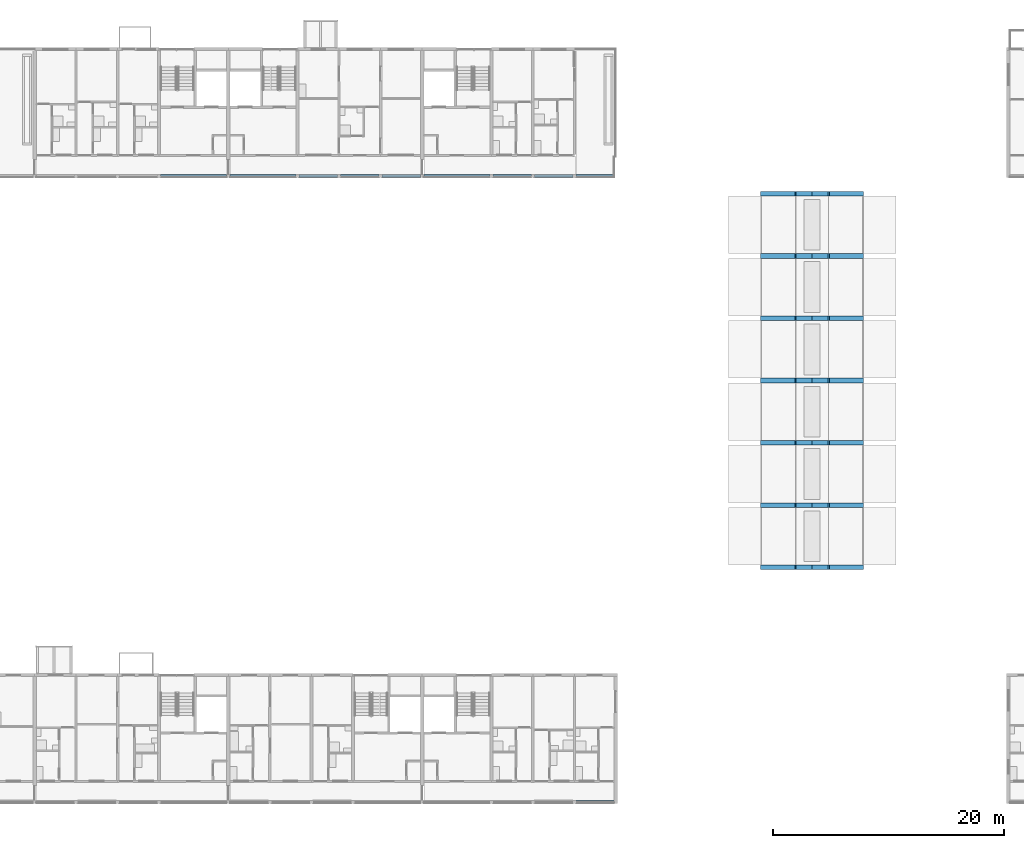
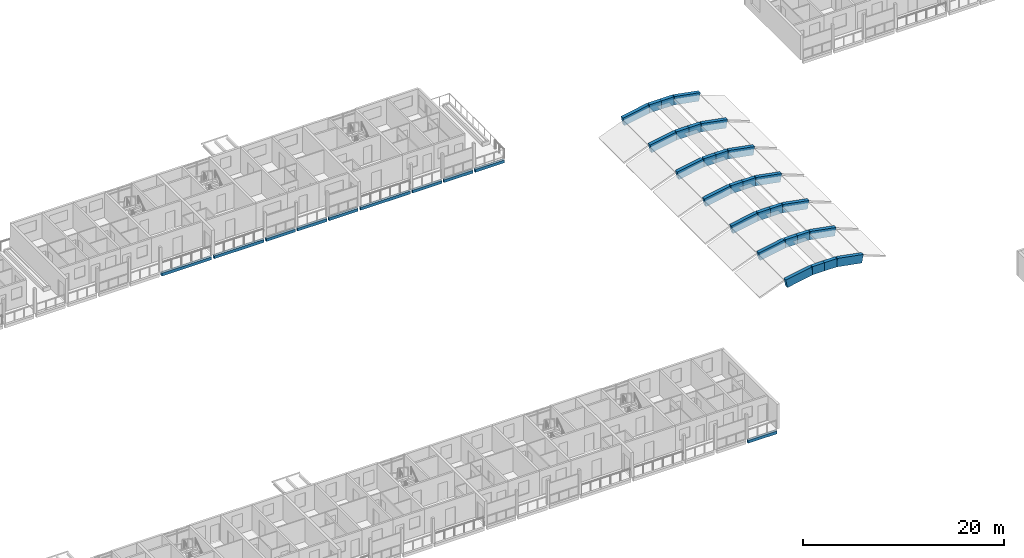
# One storey, part 10 of 93: 38 beams.
"""IFC4 building model written with IfcOpenShell, lengths in metres."""

from ifc_helpers import new_model, si_unit, direction, frame, origin, origin_2d, place, context, subcontext, project, spatial, rectangle, extrude, material, material_profile, profile_set, type_object, element, save


model = new_model("IFC4")

# Units and contexts
model_context = context("Model", 3, precision=1e-05, world=origin(), true_north=direction((0.0, 1.0)))
body_context = subcontext(model_context, "Body", "Model", "MODEL_VIEW")
ifc_project = project(units=[si_unit("LENGTHUNIT", "METRE"), si_unit("AREAUNIT", "SQUARE_METRE"), si_unit("VOLUMEUNIT", "CUBIC_METRE"), si_unit("PLANEANGLEUNIT", "RADIAN"), si_unit("MASSUNIT", "GRAM", prefix="KILO")], contexts=[model_context])

# Site, building, storey
site_placement = place(None, origin())
site = spatial("IfcSite", under=ifc_project, at=site_placement, CompositionType="ELEMENT")
building_placement = place(site_placement, origin())
building = spatial("IfcBuilding", under=site, at=building_placement, Name="Ridgestep Commons", CompositionType="ELEMENT")
storey_placement = place(building_placement, frame((0.0, 0.0, 18.0)))
storey = spatial("IfcBuildingStorey", under=building, at=storey_placement, Name="L06", CompositionType="ELEMENT", Elevation=18.0)

# Beams
ifc_material_1 = material(Name="Precast concrete C50/60", Category="concrete")
ifc_material_profile_1 = material_profile(ifc_material_1, rectangle(XDim=0.39990234375, YDim=1.0, at=origin_2d()), Name="Hall vault rib 400 x 1000")
ifc_profile_set_1 = profile_set([ifc_material_profile_1], Name="Precast concrete C50/60")
beam_type_1 = type_object("IfcBeamType", Name="Hall vault rib 400 x 1000", PredefinedType="BEAM", material=ifc_profile_set_1)
beam_1_placement = place(storey_placement, frame((125.43798828125, 32.199951171875, 0.892578125), z_axis=(0.98343646176, 0.0, 0.181253208745), x_axis=(0.0, 1.0, 0.0)))
element("IfcBeam", 1, at=beam_1_placement, inside=storey, type_object=beam_type_1, Name="Hall vault rib R1", PredefinedType="BEAM", context=body_context, shape_type="SweptSolid", body=[
    extrude(rectangle(XDim=0.39990234375, YDim=1.0, at=origin_2d()), origin(), (0.0, 0.0, 1.0), 3.01171875),
])
beam_2_placement = place(storey_placement, frame((128.39990234375, 32.199951171875, 1.4384765625), z_axis=(1.0, 0.0, 0.0), x_axis=(0.0, 1.0, 0.0)))
element("IfcBeam", 2, at=beam_2_placement, inside=storey, type_object=beam_type_1, Name="Hall vault rib R1", PredefinedType="BEAM", context=body_context, shape_type="SweptSolid", body=[
    extrude(rectangle(XDim=0.39990234375, YDim=1.0, at=origin_2d()), origin(), (0.0, 0.0, 1.0), 1.400146484375),
])
beam_3_placement = place(storey_placement, frame((129.800048828125, 32.199951171875, 1.4384765625), z_axis=(1.0, 0.0, 0.0), x_axis=(0.0, 1.0, 0.0)))
element("IfcBeam", 3, at=beam_3_placement, inside=storey, type_object=beam_type_1, Name="Hall vault rib R1", PredefinedType="BEAM", context=body_context, shape_type="SweptSolid", body=[
    extrude(rectangle(XDim=0.39990234375, YDim=1.0, at=origin_2d()), origin(), (0.0, 0.0, 1.0), 1.39990234375),
])
for number, where, z_axis, x_axis, name in (
    (4, (131.199951171875, 32.199951171875, 1.4384765625), (0.98343646176, 0.0, -0.181253208745), (0.0, 1.0, 0.0), "Hall vault rib R1"),
    (5, (125.43798828125, 37.60009765625, 0.892578125), (0.98343646176, 0.0, 0.181253208745), (0.0, 1.0, 0.0), "Hall vault rib R2"),
):
    element("IfcBeam", number, at=place(storey_placement, frame(where, z_axis=z_axis, x_axis=x_axis)), inside=storey, type_object=beam_type_1, Name=name, PredefinedType="BEAM", context=body_context, shape_type="SweptSolid", body=[
        extrude(rectangle(XDim=0.39990234375, YDim=1.0, at=origin_2d()), origin(), (0.0, 0.0, 1.0), 3.01171875),
    ])
beam_4_placement = place(storey_placement, frame((128.39990234375, 37.60009765625, 1.4384765625), z_axis=(1.0, 0.0, 0.0), x_axis=(0.0, 1.0, 0.0)))
element("IfcBeam", 6, at=beam_4_placement, inside=storey, type_object=beam_type_1, Name="Hall vault rib R2", PredefinedType="BEAM", context=body_context, shape_type="SweptSolid", body=[
    extrude(rectangle(XDim=0.39990234375, YDim=1.0, at=origin_2d()), origin(), (0.0, 0.0, 1.0), 1.400146484375),
])
beam_5_placement = place(storey_placement, frame((129.800048828125, 37.60009765625, 1.4384765625), z_axis=(1.0, 0.0, 0.0), x_axis=(0.0, 1.0, 0.0)))
element("IfcBeam", 7, at=beam_5_placement, inside=storey, type_object=beam_type_1, Name="Hall vault rib R2", PredefinedType="BEAM", context=body_context, shape_type="SweptSolid", body=[
    extrude(rectangle(XDim=0.39990234375, YDim=1.0, at=origin_2d()), origin(), (0.0, 0.0, 1.0), 1.39990234375),
])
for number, where, z_axis, x_axis, name in (
    (8, (131.199951171875, 37.60009765625, 1.4384765625), (0.98343646176, 0.0, -0.181253208745), (0.0, 1.0, 0.0), "Hall vault rib R2"),
    (9, (125.43798828125, 43.0, 0.892578125), (0.98343646176, 0.0, 0.181253208745), (0.0, 1.0, 0.0), "Hall vault rib R3"),
):
    element("IfcBeam", number, at=place(storey_placement, frame(where, z_axis=z_axis, x_axis=x_axis)), inside=storey, type_object=beam_type_1, Name=name, PredefinedType="BEAM", context=body_context, shape_type="SweptSolid", body=[
        extrude(rectangle(XDim=0.39990234375, YDim=1.0, at=origin_2d()), origin(), (0.0, 0.0, 1.0), 3.01171875),
    ])
beam_6_placement = place(storey_placement, frame((128.39990234375, 43.0, 1.4384765625), z_axis=(1.0, 0.0, 0.0), x_axis=(0.0, 1.0, 0.0)))
element("IfcBeam", 10, at=beam_6_placement, inside=storey, type_object=beam_type_1, Name="Hall vault rib R3", PredefinedType="BEAM", context=body_context, shape_type="SweptSolid", body=[
    extrude(rectangle(XDim=0.39990234375, YDim=1.0, at=origin_2d()), origin(), (0.0, 0.0, 1.0), 1.400146484375),
])
beam_7_placement = place(storey_placement, frame((129.800048828125, 43.0, 1.4384765625), z_axis=(1.0, 0.0, 0.0), x_axis=(0.0, 1.0, 0.0)))
element("IfcBeam", 11, at=beam_7_placement, inside=storey, type_object=beam_type_1, Name="Hall vault rib R3", PredefinedType="BEAM", context=body_context, shape_type="SweptSolid", body=[
    extrude(rectangle(XDim=0.39990234375, YDim=1.0, at=origin_2d()), origin(), (0.0, 0.0, 1.0), 1.39990234375),
])
for number, where, z_axis, x_axis, name in (
    (12, (131.199951171875, 43.0, 1.4384765625), (0.98343646176, 0.0, -0.181253208745), (0.0, 1.0, 0.0), "Hall vault rib R3"),
    (13, (125.43798828125, 48.39990234375, 0.892578125), (0.98343646176, 0.0, 0.181253208745), (0.0, 1.0, 0.0), "Hall vault rib R4"),
):
    element("IfcBeam", number, at=place(storey_placement, frame(where, z_axis=z_axis, x_axis=x_axis)), inside=storey, type_object=beam_type_1, Name=name, PredefinedType="BEAM", context=body_context, shape_type="SweptSolid", body=[
        extrude(rectangle(XDim=0.39990234375, YDim=1.0, at=origin_2d()), origin(), (0.0, 0.0, 1.0), 3.01171875),
    ])
beam_8_placement = place(storey_placement, frame((128.39990234375, 48.39990234375, 1.4384765625), z_axis=(1.0, 0.0, 0.0), x_axis=(0.0, 1.0, 0.0)))
element("IfcBeam", 14, at=beam_8_placement, inside=storey, type_object=beam_type_1, Name="Hall vault rib R4", PredefinedType="BEAM", context=body_context, shape_type="SweptSolid", body=[
    extrude(rectangle(XDim=0.39990234375, YDim=1.0, at=origin_2d()), origin(), (0.0, 0.0, 1.0), 1.400146484375),
])
beam_9_placement = place(storey_placement, frame((129.800048828125, 48.39990234375, 1.4384765625), z_axis=(1.0, 0.0, 0.0), x_axis=(0.0, 1.0, 0.0)))
element("IfcBeam", 15, at=beam_9_placement, inside=storey, type_object=beam_type_1, Name="Hall vault rib R4", PredefinedType="BEAM", context=body_context, shape_type="SweptSolid", body=[
    extrude(rectangle(XDim=0.39990234375, YDim=1.0, at=origin_2d()), origin(), (0.0, 0.0, 1.0), 1.39990234375),
])
for number, where, z_axis, x_axis, name in (
    (16, (131.199951171875, 48.39990234375, 1.4384765625), (0.98343646176, 0.0, -0.181253208745), (0.0, 1.0, 0.0), "Hall vault rib R4"),
    (17, (125.43798828125, 53.800048828125, 0.892578125), (0.98343646176, 0.0, 0.181253208745), (0.0, 1.0, 0.0), "Hall vault rib R5"),
):
    element("IfcBeam", number, at=place(storey_placement, frame(where, z_axis=z_axis, x_axis=x_axis)), inside=storey, type_object=beam_type_1, Name=name, PredefinedType="BEAM", context=body_context, shape_type="SweptSolid", body=[
        extrude(rectangle(XDim=0.39990234375, YDim=1.0, at=origin_2d()), origin(), (0.0, 0.0, 1.0), 3.01171875),
    ])
beam_10_placement = place(storey_placement, frame((128.39990234375, 53.800048828125, 1.4384765625), z_axis=(1.0, 0.0, 0.0), x_axis=(0.0, 1.0, 0.0)))
element("IfcBeam", 18, at=beam_10_placement, inside=storey, type_object=beam_type_1, Name="Hall vault rib R5", PredefinedType="BEAM", context=body_context, shape_type="SweptSolid", body=[
    extrude(rectangle(XDim=0.39990234375, YDim=1.0, at=origin_2d()), origin(), (0.0, 0.0, 1.0), 1.400146484375),
])
beam_11_placement = place(storey_placement, frame((129.800048828125, 53.800048828125, 1.4384765625), z_axis=(1.0, 0.0, 0.0), x_axis=(0.0, 1.0, 0.0)))
element("IfcBeam", 19, at=beam_11_placement, inside=storey, type_object=beam_type_1, Name="Hall vault rib R5", PredefinedType="BEAM", context=body_context, shape_type="SweptSolid", body=[
    extrude(rectangle(XDim=0.39990234375, YDim=1.0, at=origin_2d()), origin(), (0.0, 0.0, 1.0), 1.39990234375),
])
for number, where, z_axis, x_axis, name in (
    (20, (131.199951171875, 53.800048828125, 1.4384765625), (0.98343646176, 0.0, -0.181253208745), (0.0, 1.0, 0.0), "Hall vault rib R5"),
    (21, (125.43798828125, 59.199951171875, 0.892578125), (0.98343646176, 0.0, 0.181253208745), (0.0, 1.0, 0.0), "Hall vault rib R6"),
):
    element("IfcBeam", number, at=place(storey_placement, frame(where, z_axis=z_axis, x_axis=x_axis)), inside=storey, type_object=beam_type_1, Name=name, PredefinedType="BEAM", context=body_context, shape_type="SweptSolid", body=[
        extrude(rectangle(XDim=0.39990234375, YDim=1.0, at=origin_2d()), origin(), (0.0, 0.0, 1.0), 3.01171875),
    ])
beam_12_placement = place(storey_placement, frame((128.39990234375, 59.199951171875, 1.4384765625), z_axis=(1.0, 0.0, 0.0), x_axis=(0.0, 1.0, 0.0)))
element("IfcBeam", 22, at=beam_12_placement, inside=storey, type_object=beam_type_1, Name="Hall vault rib R6", PredefinedType="BEAM", context=body_context, shape_type="SweptSolid", body=[
    extrude(rectangle(XDim=0.39990234375, YDim=1.0, at=origin_2d()), origin(), (0.0, 0.0, 1.0), 1.400146484375),
])
beam_13_placement = place(storey_placement, frame((129.800048828125, 59.199951171875, 1.4384765625), z_axis=(1.0, 0.0, 0.0), x_axis=(0.0, 1.0, 0.0)))
element("IfcBeam", 23, at=beam_13_placement, inside=storey, type_object=beam_type_1, Name="Hall vault rib R6", PredefinedType="BEAM", context=body_context, shape_type="SweptSolid", body=[
    extrude(rectangle(XDim=0.39990234375, YDim=1.0, at=origin_2d()), origin(), (0.0, 0.0, 1.0), 1.39990234375),
])
for number, where, z_axis, x_axis, name in (
    (24, (131.199951171875, 59.199951171875, 1.4384765625), (0.98343646176, 0.0, -0.181253208745), (0.0, 1.0, 0.0), "Hall vault rib R6"),
    (25, (125.43798828125, 64.60009765625, 0.892578125), (0.98343646176, 0.0, 0.181253208745), (0.0, 1.0, 0.0), "Hall vault rib R7"),
):
    element("IfcBeam", number, at=place(storey_placement, frame(where, z_axis=z_axis, x_axis=x_axis)), inside=storey, type_object=beam_type_1, Name=name, PredefinedType="BEAM", context=body_context, shape_type="SweptSolid", body=[
        extrude(rectangle(XDim=0.39990234375, YDim=1.0, at=origin_2d()), origin(), (0.0, 0.0, 1.0), 3.01171875),
    ])
beam_14_placement = place(storey_placement, frame((128.39990234375, 64.60009765625, 1.4384765625), z_axis=(1.0, 0.0, 0.0), x_axis=(0.0, 1.0, 0.0)))
element("IfcBeam", 26, at=beam_14_placement, inside=storey, type_object=beam_type_1, Name="Hall vault rib R7", PredefinedType="BEAM", context=body_context, shape_type="SweptSolid", body=[
    extrude(rectangle(XDim=0.39990234375, YDim=1.0, at=origin_2d()), origin(), (0.0, 0.0, 1.0), 1.400146484375),
])
beam_15_placement = place(storey_placement, frame((129.800048828125, 64.60009765625, 1.4384765625), z_axis=(1.0, 0.0, 0.0), x_axis=(0.0, 1.0, 0.0)))
element("IfcBeam", 27, at=beam_15_placement, inside=storey, type_object=beam_type_1, Name="Hall vault rib R7", PredefinedType="BEAM", context=body_context, shape_type="SweptSolid", body=[
    extrude(rectangle(XDim=0.39990234375, YDim=1.0, at=origin_2d()), origin(), (0.0, 0.0, 1.0), 1.39990234375),
])
beam_16_placement = place(storey_placement, frame((131.199951171875, 64.60009765625, 1.4384765625), z_axis=(0.98343646176, 0.0, -0.181253208745), x_axis=(0.0, 1.0, 0.0)))
element("IfcBeam", 28, at=beam_16_placement, inside=storey, type_object=beam_type_1, Name="Hall vault rib R7", PredefinedType="BEAM", context=body_context, shape_type="SweptSolid", body=[
    extrude(rectangle(XDim=0.39990234375, YDim=1.0, at=origin_2d()), origin(), (0.0, 0.0, 1.0), 3.01171875),
])
ifc_material_2 = material(Name="Precast concrete C40/50", Category="concrete")
ifc_material_profile_2 = material_profile(ifc_material_2, rectangle(XDim=0.25, YDim=0.35009765625, at=origin_2d()), Name="PC 250x350")
ifc_profile_set_2 = profile_set([ifc_material_profile_2], Name="Precast concrete C40/50")
beam_type_2 = type_object("IfcBeamType", Name="Loggia edge beam 250 x 350", PredefinedType="SPANDREL", material=ifc_profile_set_2)
beam_17_placement = place(storey_placement, frame((109.324951171875, 11.875, -0.375), z_axis=(1.0, 0.0, 0.0), x_axis=(0.0, 1.0, 0.0)))
element("IfcBeam", 29, at=beam_17_placement, inside=storey, type_object=beam_type_2, Name="Loggia edge beam A6T1 L06", PredefinedType="SPANDREL", context=body_context, shape_type="SweptSolid", body=[
    extrude(rectangle(XDim=0.25, YDim=0.35009765625, at=origin_2d()), origin(), (0.0, 0.0, 1.0), 3.324951171875),
])
beam_18_placement = place(storey_placement, frame((73.324951171875, 66.125, -0.375), z_axis=(1.0, 0.0, 0.0), x_axis=(0.0, 1.0, 0.0)))
element("IfcBeam", 30, at=beam_18_placement, inside=storey, type_object=beam_type_2, Name="Loggia edge beam B4C L06", PredefinedType="SPANDREL", context=body_context, shape_type="SweptSolid", body=[
    extrude(rectangle(XDim=0.25, YDim=0.35009765625, at=origin_2d()), origin(), (0.0, 0.0, 1.0), 5.72509765625),
])
beam_19_placement = place(storey_placement, frame((79.35009765625, 66.125, -0.375), z_axis=(1.0, 0.0, 0.0), x_axis=(0.0, 1.0, 0.0)))
element("IfcBeam", 31, at=beam_19_placement, inside=storey, type_object=beam_type_2, Name="Loggia edge beam B5C L06", PredefinedType="SPANDREL", context=body_context, shape_type="SweptSolid", body=[
    extrude(rectangle(XDim=0.25, YDim=0.35009765625, at=origin_2d()), origin(), (0.0, 0.0, 1.0), 5.724853515625),
])
beam_20_placement = place(storey_placement, frame((85.324951171875, 66.125, -0.375), z_axis=(1.0, 0.0, 0.0), x_axis=(0.0, 1.0, 0.0)))
element("IfcBeam", 32, at=beam_20_placement, inside=storey, type_object=beam_type_2, Name="Loggia edge beam B5T3 L06", PredefinedType="SPANDREL", context=body_context, shape_type="SweptSolid", body=[
    extrude(rectangle(XDim=0.25, YDim=0.35009765625, at=origin_2d()), origin(), (0.0, 0.0, 1.0), 3.35009765625),
])
beam_21_placement = place(storey_placement, frame((88.925048828125, 66.125, -0.375), z_axis=(1.0, 0.0, 0.0), x_axis=(0.0, 1.0, 0.0)))
element("IfcBeam", 33, at=beam_21_placement, inside=storey, type_object=beam_type_2, Name="Loggia edge beam B5T2 L06", PredefinedType="SPANDREL", context=body_context, shape_type="SweptSolid", body=[
    extrude(rectangle(XDim=0.25, YDim=0.35009765625, at=origin_2d()), origin(), (0.0, 0.0, 1.0), 3.349853515625),
])
beam_22_placement = place(storey_placement, frame((92.52490234375, 66.125, -0.375), z_axis=(1.0, 0.0, 0.0), x_axis=(0.0, 1.0, 0.0)))
element("IfcBeam", 34, at=beam_22_placement, inside=storey, type_object=beam_type_2, Name="Loggia edge beam B5T1 L06", PredefinedType="SPANDREL", context=body_context, shape_type="SweptSolid", body=[
    extrude(rectangle(XDim=0.25, YDim=0.35009765625, at=origin_2d()), origin(), (0.0, 0.0, 1.0), 3.3251953125),
])
beam_23_placement = place(storey_placement, frame((96.14990234375, 66.125, -0.375), z_axis=(1.0, 0.0, 0.0), x_axis=(0.0, 1.0, 0.0)))
element("IfcBeam", 35, at=beam_23_placement, inside=storey, type_object=beam_type_2, Name="Loggia edge beam B6C L06", PredefinedType="SPANDREL", context=body_context, shape_type="SweptSolid", body=[
    extrude(rectangle(XDim=0.25, YDim=0.35009765625, at=origin_2d()), origin(), (0.0, 0.0, 1.0), 5.72509765625),
])
beam_24_placement = place(storey_placement, frame((102.125, 66.125, -0.375), z_axis=(1.0, 0.0, 0.0), x_axis=(0.0, 1.0, 0.0)))
element("IfcBeam", 36, at=beam_24_placement, inside=storey, type_object=beam_type_2, Name="Loggia edge beam B6T3 L06", PredefinedType="SPANDREL", context=body_context, shape_type="SweptSolid", body=[
    extrude(rectangle(XDim=0.25, YDim=0.35009765625, at=origin_2d()), origin(), (0.0, 0.0, 1.0), 3.35009765625),
])
beam_25_placement = place(storey_placement, frame((105.72509765625, 66.125, -0.375), z_axis=(1.0, 0.0, 0.0), x_axis=(0.0, 1.0, 0.0)))
element("IfcBeam", 37, at=beam_25_placement, inside=storey, type_object=beam_type_2, Name="Loggia edge beam B6T2 L06", PredefinedType="SPANDREL", context=body_context, shape_type="SweptSolid", body=[
    extrude(rectangle(XDim=0.25, YDim=0.35009765625, at=origin_2d()), origin(), (0.0, 0.0, 1.0), 3.349853515625),
])
beam_26_placement = place(storey_placement, frame((109.324951171875, 66.125, -0.375), z_axis=(1.0, 0.0, 0.0), x_axis=(0.0, 1.0, 0.0)))
element("IfcBeam", 38, at=beam_26_placement, inside=storey, type_object=beam_type_2, Name="Loggia edge beam B6T1 L06", PredefinedType="SPANDREL", context=body_context, shape_type="SweptSolid", body=[
    extrude(rectangle(XDim=0.25, YDim=0.35009765625, at=origin_2d()), origin(), (0.0, 0.0, 1.0), 3.324951171875),
])

save(model, "model.ifc")
